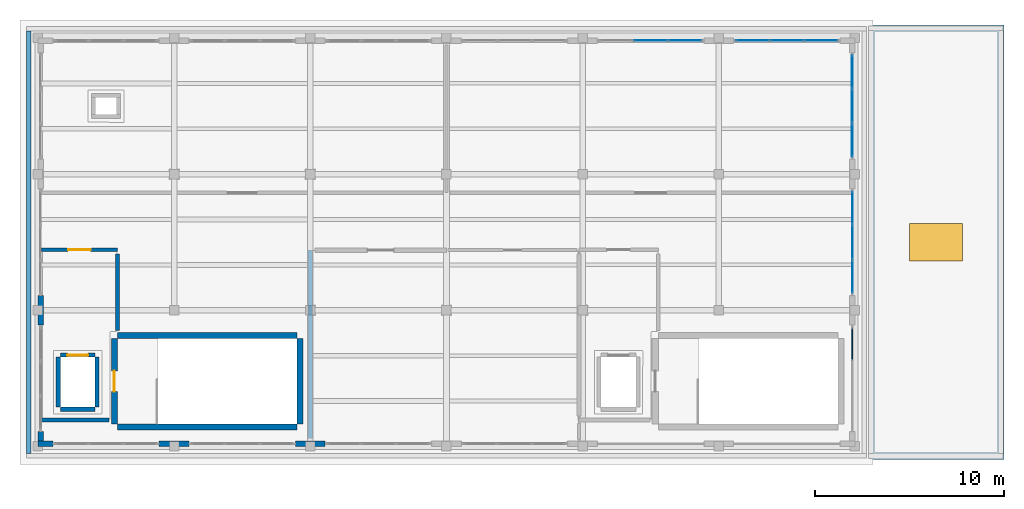
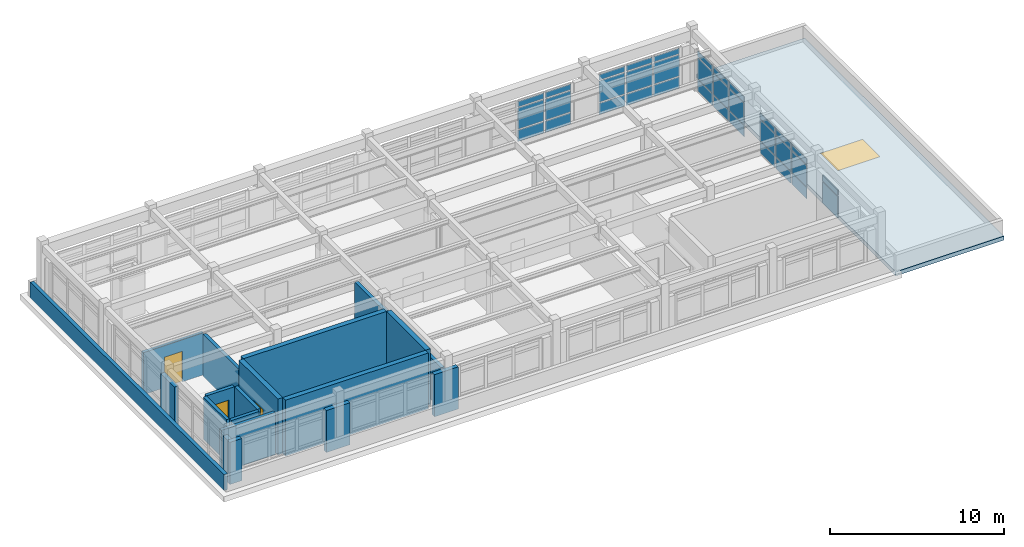
# One storey, part 10 of 12: 35 plates, 18 walls, 3 doors, 1 slab, 1 window, 4 openings, 5 elements without a shape of their own.
"""IFC4 building model written with IfcOpenShell, lengths in metres."""

import ifcopenshell
import ifcopenshell.guid

model = None  # the IFC model being written
_history = None  # IfcOwnerHistory: only IFC2X3 demands one
_inside = {}  # id of a spatial element -> (the spatial element, [elements in it])
_under = {}  # id of a project, library or spatial element -> (it, [spatial elements below it])
_declared = {}  # id of a project -> (the project, [libraries it declares])
_typed = {}  # id of a type object -> (the type object, [elements of that type])
_made_of = {}  # id of a material, layer set ... -> (it, [elements and type objects made of it])


def new_model(schema):
    """Start an empty IFC model of exactly this schema.

    Asked for "IFC4X3", IfcOpenShell would pick the latest addendum, in which some entities
    have other attributes; the version numbers below select the first issue.
    IFC2X3 requires an IfcOwnerHistory on every rooted entity: one is made here for all.
    """
    global model, _history
    if schema == "IFC4X3":
        model = ifcopenshell.file(schema_version=(4, 3, 0, 0))
    else:
        model = ifcopenshell.file(schema=schema)
    _inside.clear()
    _under.clear()
    _declared.clear()
    _typed.clear()
    _made_of.clear()
    _history = None
    if model.schema == "IFC2X3":
        org = make("IfcOrganization", Name="unknown")
        user = make(
            "IfcPersonAndOrganization",
            ThePerson=make("IfcPerson", FamilyName="unknown"),
            TheOrganization=org,
        )
        app = make(
            "IfcApplication",
            ApplicationDeveloper=org,
            Version="unknown",
            ApplicationFullName="unknown",
            ApplicationIdentifier="unknown",
        )
        _history = make(
            "IfcOwnerHistory",
            OwningUser=user,
            OwningApplication=app,
            ChangeAction="ADDED",
            CreationDate=0,
        )
    return model


def make(cls, **values):
    """One entity of the class cls with the attributes given. An attribute that is None is left unset."""
    return model.create_entity(
        cls, **{name: value for name, value in values.items() if value is not None}
    )


def rooted(cls, **values):
    """An entity with a GlobalId (a new one), such as an element, a storey or a relation."""
    return make(cls, GlobalId=ifcopenshell.guid.new(), OwnerHistory=_history, **values)


def si_unit(unit_type, name, prefix=None):
    """IfcSIUnit, for example si_unit("LENGTHUNIT", "METRE", prefix="MILLI")."""
    return make("IfcSIUnit", UnitType=unit_type, Prefix=prefix, Name=name)


def assignment(units):
    """IfcUnitAssignment: the units of a project."""
    return None if units is None else make("IfcUnitAssignment", Units=units)


def point(xyz):
    """IfcCartesianPoint."""
    return None if xyz is None else make("IfcCartesianPoint", Coordinates=xyz)


def direction(xyz):
    """IfcDirection."""
    return None if xyz is None else make("IfcDirection", DirectionRatios=xyz)


def frame(location, z_axis=None, x_axis=None):
    """IfcAxis2Placement3D, a coordinate frame: its origin and axes. An axis left out is left unset."""
    return make(
        "IfcAxis2Placement3D",
        Location=point(location),
        Axis=direction(z_axis),
        RefDirection=direction(x_axis),
    )


def frame_2d(location, x_axis=None):
    """IfcAxis2Placement2D, a coordinate frame in the plane: its origin and x axis."""
    return make(
        "IfcAxis2Placement2D", Location=point(location), RefDirection=direction(x_axis)
    )


def origin():
    """The frame at (0, 0, 0) with its axes left unset."""
    return frame((0.0, 0.0, 0.0))


def origin_2d():
    """The frame at (0, 0) in the plane with its x axis left unset."""
    return frame_2d((0.0, 0.0))


def place(relative_to, where):
    """IfcLocalPlacement: puts the frame where relative to a parent placement (None: the world)."""
    return make(
        "IfcLocalPlacement", PlacementRelTo=relative_to, RelativePlacement=where
    )


def context(
    kind, dimensions, precision=None, world=None, true_north=None, identifier=None
):
    """IfcGeometricRepresentationContext, for example the 3D "Model" context."""
    return make(
        "IfcGeometricRepresentationContext",
        ContextIdentifier=identifier,
        ContextType=kind,
        CoordinateSpaceDimension=dimensions,
        Precision=precision,
        WorldCoordinateSystem=world,
        TrueNorth=true_north,
    )


def subcontext(parent, identifier, kind, view, scale=None):
    """IfcGeometricRepresentationSubContext, for example "Body" below "Model"."""
    return make(
        "IfcGeometricRepresentationSubContext",
        ContextIdentifier=identifier,
        ContextType=kind,
        ParentContext=parent,
        TargetScale=scale,
        TargetView=view,
    )


def project(units=None, contexts=None):
    """IfcProject with its units and contexts."""
    return rooted(
        "IfcProject",
        Name="project",
        RepresentationContexts=contexts,
        UnitsInContext=assignment(units),
    )


def spatial(cls, under=None, at=None, **own):
    """A site, building, storey or space (cls), placed at a placement, below another one or the project."""
    s = rooted(cls, ObjectPlacement=at, **own)
    if under is not None:
        _under.setdefault(under.id(), (under, []))[1].append(s)
    return s


def polyline(points):
    """IfcPolyline through the points."""
    return make("IfcPolyline", Points=[point(p) for p in points])


def profile(cls, at=None, kind="AREA", **sizes):
    """A parametric profile (cls). Its sizes go by their IFC names, for example OverallWidth=200.0."""
    return make(cls, ProfileType=kind, Position=at, **sizes)


def rectangle(**sizes):
    """IfcRectangleProfileDef."""
    return profile("IfcRectangleProfileDef", **sizes)


def outline(outer, holes=None, kind="AREA"):
    """IfcArbitraryClosedProfileDef: a profile drawn as a closed curve; with holes, ...WithVoids."""
    if holes is None:
        return make("IfcArbitraryClosedProfileDef", ProfileType=kind, OuterCurve=outer)
    return make(
        "IfcArbitraryProfileDefWithVoids",
        ProfileType=kind,
        OuterCurve=outer,
        InnerCurves=holes,
    )


def extrude(swept, where, along, depth):
    """IfcExtrudedAreaSolid: the profile swept, set in the frame where, extruded along a direction by depth."""
    return make(
        "IfcExtrudedAreaSolid",
        SweptArea=swept,
        Position=where,
        ExtrudedDirection=direction(along),
        Depth=depth,
    )


def shape(context_of_items, identifier, shape_type, items):
    """IfcShapeRepresentation: the items that make up one representation, for example the "Body"."""
    return make(
        "IfcShapeRepresentation",
        ContextOfItems=context_of_items,
        RepresentationIdentifier=identifier,
        RepresentationType=shape_type,
        Items=items,
    )


def material(Name=None, Category=None):
    """IfcMaterial."""
    return make("IfcMaterial", Name=Name, Category=Category)


def layer(
    of_material, thickness, ventilated=None, Name=None, Category=None, Priority=None
):
    """IfcMaterialLayer: one layer of a wall or slab, of a material (None: an air gap)."""
    return make(
        "IfcMaterialLayer",
        Material=of_material,
        LayerThickness=thickness,
        IsVentilated=ventilated,
        Name=Name,
        Category=Category,
        Priority=Priority,
    )


def layer_set(layers, Name=None):
    """IfcMaterialLayerSet."""
    return make("IfcMaterialLayerSet", MaterialLayers=layers, LayerSetName=Name)


def made_of(thing, what):
    """Note that an element or type object is made of a material, layer set ...; save() writes the relation."""
    if what is not None:
        _made_of.setdefault(what.id(), (what, []))[1].append(thing)
    return thing


def type_object(cls, material=None, **own):
    """A type object (cls), such as IfcWallType, which elements share."""
    return made_of(rooted(cls, **own), material)


def element(
    cls,
    number,
    at=None,
    inside=None,
    cuts=None,
    type_object=None,
    material=None,
    context=None,
    identifier="Body",
    shape_type=None,
    held_by="IfcProductDefinitionShape",
    body=None,
    shapes=None,
    **own,
):
    """One element of the class cls, such as IfcWall. Its Tag is "e" and its number.

    at: its placement. inside: the storey or other place that contains it. cuts: it is an
    opening in that element (IfcRelVoidsElement). A single representation is given by context,
    identifier, shape_type and body (its items); several are given by shapes. held_by: the class
    of the entity that holds the representations. save() writes the other relations.
    """
    e = rooted(cls, Tag="e%d" % number, ObjectPlacement=at, **own)
    if body is not None:
        shapes = [shape(context, identifier, shape_type, body)]
    if shapes is not None:
        e.Representation = make(held_by, Representations=shapes)
    if inside is not None:
        _inside.setdefault(inside.id(), (inside, []))[1].append(e)
    if cuts is not None:
        rooted(
            "IfcRelVoidsElement", RelatingBuildingElement=cuts, RelatedOpeningElement=e
        )
    if type_object is not None:
        _typed.setdefault(type_object.id(), (type_object, []))[1].append(e)
    return made_of(e, material)


def fill(opening, filler):
    """IfcRelFillsElement: the door or window that sits in an opening."""
    return rooted(
        "IfcRelFillsElement",
        RelatingOpeningElement=opening,
        RelatedBuildingElement=filler,
    )


def aggregate(whole, parts):
    """IfcRelAggregates: a whole, such as a stair, and the parts it consists of."""
    return rooted("IfcRelAggregates", RelatingObject=whole, RelatedObjects=parts)


def save(model, path):
    """Write the relations noted so far, then the file.

    IfcRelAggregates (storeys below a building ...), IfcRelContainedInSpatialStructure (elements
    in a storey), IfcRelDefinesByType, IfcRelAssociatesMaterial and IfcRelDeclares: one each for
    every whole, place, type object, material and project.
    """
    for whole, parts in _under.values():
        aggregate(whole, parts)
    for where, things in _inside.values():
        rooted(
            "IfcRelContainedInSpatialStructure",
            RelatedElements=things,
            RelatingStructure=where,
        )
    for kind, things in _typed.values():
        rooted("IfcRelDefinesByType", RelatedObjects=things, RelatingType=kind)
    for what, things in _made_of.values():
        rooted("IfcRelAssociatesMaterial", RelatedObjects=things, RelatingMaterial=what)
    for by, libraries in _declared.values():
        rooted("IfcRelDeclares", RelatingContext=by, RelatedDefinitions=libraries)
    model.write(path)


model = new_model("IFC4")

# Units and contexts
model_context = context("Model", 3, precision=1e-05, world=origin(), true_north=direction((0.0, 1.0)))
body_context = subcontext(model_context, "Body", "Model", "MODEL_VIEW")
ifc_project = project(units=[si_unit("LENGTHUNIT", "METRE"), si_unit("AREAUNIT", "SQUARE_METRE"), si_unit("VOLUMEUNIT", "CUBIC_METRE"), si_unit("PLANEANGLEUNIT", "RADIAN"), si_unit("MASSUNIT", "GRAM", prefix="KILO")], contexts=[model_context])

# Site, building, storey
site_placement = place(None, origin())
site = spatial("IfcSite", under=ifc_project, at=site_placement, CompositionType="ELEMENT")
building_placement = place(site_placement, origin())
building = spatial("IfcBuilding", under=site, at=building_placement, Name="Solenvale Faculty of Natural Sciences", CompositionType="ELEMENT")
storey_placement = place(building_placement, frame((0.0, 0.0, 52.199951171875)))
storey = spatial("IfcBuildingStorey", under=building, at=storey_placement, Name="RF", CompositionType="ELEMENT", Elevation=52.199951171875)

# Curtain wall, plates
ifc_material_1 = material(Name="Anodised bronze aluminium", Category="aluminium")
ifc_layer_1 = layer(ifc_material_1, 0.179931640625)
ifc_layer_set_1 = layer_set([ifc_layer_1], Name="Anodised bronze aluminium")
curtain_wall_type = type_object("IfcCurtainWallType", Name="CW-TWR-MOD", PredefinedType="USERDEFINED", material=ifc_layer_set_1)
curtain_wall_1_placement = place(storey_placement, origin())
curtain_wall_1 = element("IfcCurtainWall", 1, at=curtain_wall_1_placement, inside=storey, type_object=curtain_wall_type, Name="RF Curtain Wall CW-RF-P1-E1-B2", ObjectType="UNITISED CURTAIN WALL", PredefinedType="USERDEFINED")
ifc_material_2 = material(Name="North-light skylight glass", Category="glass")
ifc_layer_2 = layer(ifc_material_2, 0.028076171875)
ifc_layer_set_2 = layer_set([ifc_layer_2], Name="North-light skylight glass")
plate_type_1 = type_object("IfcPlateType", Name="CWP-PNL-28", PredefinedType="CURTAIN_PANEL", material=ifc_layer_set_2)
plate_1_placement = place(storey_placement, frame((143.857421875, 102.58544921875, 0.074951171875), z_axis=(0.0, 0.0, 1.0), x_axis=(0.0, 1.0, 0.0)))
plate_1 = element("IfcPlate", 2, at=plate_1_placement, type_object=plate_type_1, Name="CW-04 panel 1.1", PredefinedType="CURTAIN_PANEL", context=body_context, shape_type="SweptSolid", body=[
    extrude(rectangle(XDim=1.720947265625, YDim=0.028076171875, at=origin_2d()), origin(), (0.0, 0.0, 1.0), 0.78759765625),
])
plate_2_placement = place(storey_placement, frame((143.857421875, 102.58544921875, 0.9375), z_axis=(0.0, 0.0, 1.0), x_axis=(0.0, 1.0, 0.0)))
plate_2 = element("IfcPlate", 3, at=plate_2_placement, type_object=plate_type_1, Name="CW-04 panel 1.2", PredefinedType="CURTAIN_PANEL", context=body_context, shape_type="SweptSolid", body=[
    extrude(rectangle(XDim=1.720947265625, YDim=0.028076171875, at=origin_2d()), origin(), (0.0, 0.0, 1.0), 1.485107421875),
])
plate_3_placement = place(storey_placement, frame((143.857421875, 102.58544921875, 2.49755859375), z_axis=(0.0, 0.0, 1.0), x_axis=(0.0, 1.0, 0.0)))
plate_3 = element("IfcPlate", 4, at=plate_3_placement, type_object=plate_type_1, Name="CW-04 panel 1.3", PredefinedType="CURTAIN_PANEL", context=body_context, shape_type="SweptSolid", body=[
    extrude(rectangle(XDim=1.720947265625, YDim=0.028076171875, at=origin_2d()), origin(), (0.0, 0.0, 1.0), 0.387451171875),
])
plate_4_placement = place(storey_placement, frame((143.857421875, 104.39990234375, 0.074951171875), z_axis=(0.0, 0.0, 1.0), x_axis=(0.0, 1.0, 0.0)))
plate_4 = element("IfcPlate", 5, at=plate_4_placement, type_object=plate_type_1, Name="CW-04 panel 2.1", PredefinedType="CURTAIN_PANEL", context=body_context, shape_type="SweptSolid", body=[
    extrude(rectangle(XDim=1.75830078125, YDim=0.028076171875, at=origin_2d()), origin(), (0.0, 0.0, 1.0), 0.78759765625),
])
plate_5_placement = place(storey_placement, frame((143.857421875, 104.39990234375, 0.9375), z_axis=(0.0, 0.0, 1.0), x_axis=(0.0, 1.0, 0.0)))
plate_5 = element("IfcPlate", 6, at=plate_5_placement, type_object=plate_type_1, Name="CW-04 panel 2.2", PredefinedType="CURTAIN_PANEL", context=body_context, shape_type="SweptSolid", body=[
    extrude(rectangle(XDim=1.75830078125, YDim=0.028076171875, at=origin_2d()), origin(), (0.0, 0.0, 1.0), 1.485107421875),
])
plate_6_placement = place(storey_placement, frame((143.857421875, 104.39990234375, 2.49755859375), z_axis=(0.0, 0.0, 1.0), x_axis=(0.0, 1.0, 0.0)))
plate_6 = element("IfcPlate", 7, at=plate_6_placement, type_object=plate_type_1, Name="CW-04 panel 2.3", PredefinedType="CURTAIN_PANEL", context=body_context, shape_type="SweptSolid", body=[
    extrude(rectangle(XDim=1.75830078125, YDim=0.028076171875, at=origin_2d()), origin(), (0.0, 0.0, 1.0), 0.387451171875),
])
plate_7_placement = place(storey_placement, frame((143.857421875, 106.214599609375, 0.074951171875), z_axis=(0.0, 0.0, 1.0), x_axis=(0.0, 1.0, 0.0)))
plate_7 = element("IfcPlate", 8, at=plate_7_placement, type_object=plate_type_1, Name="CW-04 panel 3.1", PredefinedType="CURTAIN_PANEL", context=body_context, shape_type="SweptSolid", body=[
    extrude(rectangle(XDim=1.720947265625, YDim=0.028076171875, at=origin_2d()), origin(), (0.0, 0.0, 1.0), 0.78759765625),
])
plate_8_placement = place(storey_placement, frame((143.857421875, 106.214599609375, 0.9375), z_axis=(0.0, 0.0, 1.0), x_axis=(0.0, 1.0, 0.0)))
plate_8 = element("IfcPlate", 9, at=plate_8_placement, type_object=plate_type_1, Name="CW-04 panel 3.2", PredefinedType="CURTAIN_PANEL", context=body_context, shape_type="SweptSolid", body=[
    extrude(rectangle(XDim=1.720947265625, YDim=0.028076171875, at=origin_2d()), origin(), (0.0, 0.0, 1.0), 1.485107421875),
])
plate_9_placement = place(storey_placement, frame((143.857421875, 106.214599609375, 2.49755859375), z_axis=(0.0, 0.0, 1.0), x_axis=(0.0, 1.0, 0.0)))
plate_9 = element("IfcPlate", 10, at=plate_9_placement, type_object=plate_type_1, Name="CW-04 panel 3.3", PredefinedType="CURTAIN_PANEL", context=body_context, shape_type="SweptSolid", body=[
    extrude(rectangle(XDim=1.720947265625, YDim=0.028076171875, at=origin_2d()), origin(), (0.0, 0.0, 1.0), 0.387451171875),
])
aggregate(curtain_wall_1, [plate_1, plate_2, plate_3, plate_4, plate_5, plate_6, plate_7, plate_8, plate_9])

curtain_wall_2_placement = place(storey_placement, origin())
curtain_wall_2 = element("IfcCurtainWall", 11, at=curtain_wall_2_placement, inside=storey, type_object=curtain_wall_type, Name="RF Curtain Wall CW-RF-P1-E2-B1", ObjectType="UNITISED CURTAIN WALL", PredefinedType="USERDEFINED")
plate_10_placement = place(storey_placement, frame((142.214599609375, 115.0576171875, 0.074951171875), z_axis=(0.0, 0.0, 1.0), x_axis=(-1.0, 0.0, 0.0)))
plate_10 = element("IfcPlate", 12, at=plate_10_placement, type_object=plate_type_1, Name="CW-04 panel 1.1", PredefinedType="CURTAIN_PANEL", context=body_context, shape_type="SweptSolid", body=[
    extrude(rectangle(XDim=1.720947265625, YDim=0.028076171875, at=origin_2d()), origin(), (0.0, 0.0, 1.0), 0.78759765625),
])
plate_11_placement = place(storey_placement, frame((142.214599609375, 115.0576171875, 0.9375), z_axis=(0.0, 0.0, 1.0), x_axis=(-1.0, 0.0, 0.0)))
plate_11 = element("IfcPlate", 13, at=plate_11_placement, type_object=plate_type_1, Name="CW-04 panel 1.2", PredefinedType="CURTAIN_PANEL", context=body_context, shape_type="SweptSolid", body=[
    extrude(rectangle(XDim=1.720947265625, YDim=0.028076171875, at=origin_2d()), origin(), (0.0, 0.0, 1.0), 1.485107421875),
])
plate_12_placement = place(storey_placement, frame((142.214599609375, 115.0576171875, 2.49755859375), z_axis=(0.0, 0.0, 1.0), x_axis=(-1.0, 0.0, 0.0)))
plate_12 = element("IfcPlate", 14, at=plate_12_placement, type_object=plate_type_1, Name="CW-04 panel 1.3", PredefinedType="CURTAIN_PANEL", context=body_context, shape_type="SweptSolid", body=[
    extrude(rectangle(XDim=1.720947265625, YDim=0.028076171875, at=origin_2d()), origin(), (0.0, 0.0, 1.0), 0.387451171875),
])
plate_13_placement = place(storey_placement, frame((140.39990234375, 115.0576171875, 0.074951171875), z_axis=(0.0, 0.0, 1.0), x_axis=(-1.0, 0.0, 0.0)))
plate_13 = element("IfcPlate", 15, at=plate_13_placement, type_object=plate_type_1, Name="CW-04 panel 2.1", PredefinedType="CURTAIN_PANEL", context=body_context, shape_type="SweptSolid", body=[
    extrude(rectangle(XDim=1.75830078125, YDim=0.028076171875, at=origin_2d()), origin(), (0.0, 0.0, 1.0), 0.78759765625),
])
plate_14_placement = place(storey_placement, frame((140.39990234375, 115.0576171875, 0.9375), z_axis=(0.0, 0.0, 1.0), x_axis=(-1.0, 0.0, 0.0)))
plate_14 = element("IfcPlate", 16, at=plate_14_placement, type_object=plate_type_1, Name="CW-04 panel 2.2", PredefinedType="CURTAIN_PANEL", context=body_context, shape_type="SweptSolid", body=[
    extrude(rectangle(XDim=1.75830078125, YDim=0.028076171875, at=origin_2d()), origin(), (0.0, 0.0, 1.0), 1.485107421875),
])
plate_15_placement = place(storey_placement, frame((140.39990234375, 115.0576171875, 2.49755859375), z_axis=(0.0, 0.0, 1.0), x_axis=(-1.0, 0.0, 0.0)))
plate_15 = element("IfcPlate", 17, at=plate_15_placement, type_object=plate_type_1, Name="CW-04 panel 2.3", PredefinedType="CURTAIN_PANEL", context=body_context, shape_type="SweptSolid", body=[
    extrude(rectangle(XDim=1.75830078125, YDim=0.028076171875, at=origin_2d()), origin(), (0.0, 0.0, 1.0), 0.387451171875),
])
plate_16_placement = place(storey_placement, frame((138.58544921875, 115.0576171875, 0.074951171875), z_axis=(0.0, 0.0, 1.0), x_axis=(-1.0, 0.0, 0.0)))
plate_16 = element("IfcPlate", 18, at=plate_16_placement, type_object=plate_type_1, Name="CW-04 panel 3.1", PredefinedType="CURTAIN_PANEL", context=body_context, shape_type="SweptSolid", body=[
    extrude(rectangle(XDim=1.720947265625, YDim=0.028076171875, at=origin_2d()), origin(), (0.0, 0.0, 1.0), 0.78759765625),
])
plate_17_placement = place(storey_placement, frame((138.58544921875, 115.0576171875, 0.9375), z_axis=(0.0, 0.0, 1.0), x_axis=(-1.0, 0.0, 0.0)))
plate_17 = element("IfcPlate", 19, at=plate_17_placement, type_object=plate_type_1, Name="CW-04 panel 3.2", PredefinedType="CURTAIN_PANEL", context=body_context, shape_type="SweptSolid", body=[
    extrude(rectangle(XDim=1.720947265625, YDim=0.028076171875, at=origin_2d()), origin(), (0.0, 0.0, 1.0), 1.485107421875),
])
plate_18_placement = place(storey_placement, frame((138.58544921875, 115.0576171875, 2.49755859375), z_axis=(0.0, 0.0, 1.0), x_axis=(-1.0, 0.0, 0.0)))
plate_18 = element("IfcPlate", 20, at=plate_18_placement, type_object=plate_type_1, Name="CW-04 panel 3.3", PredefinedType="CURTAIN_PANEL", context=body_context, shape_type="SweptSolid", body=[
    extrude(rectangle(XDim=1.720947265625, YDim=0.028076171875, at=origin_2d()), origin(), (0.0, 0.0, 1.0), 0.387451171875),
])
aggregate(curtain_wall_2, [plate_10, plate_11, plate_12, plate_13, plate_14, plate_15, plate_16, plate_17, plate_18])

curtain_wall_3_placement = place(storey_placement, origin())
curtain_wall_3 = element("IfcCurtainWall", 21, at=curtain_wall_3_placement, inside=storey, type_object=curtain_wall_type, Name="RF Curtain Wall CW-RF-P1-E1-B3", ObjectType="UNITISED CURTAIN WALL", PredefinedType="USERDEFINED")
ifc_material_3 = material(Name="Triple low-E insulated glass", Category="glass")
ifc_layer_3 = layer(ifc_material_3, 0.031982421875)
ifc_layer_set_3 = layer_set([ifc_layer_3], Name="Triple low-E insulated glass")
plate_type_2 = type_object("IfcPlateType", Name="CWP-PNL-32", PredefinedType="CURTAIN_PANEL", material=ifc_layer_set_3)
plate_19_placement = place(storey_placement, frame((143.857421875, 109.785400390625, 0.074951171875), z_axis=(0.0, 0.0, 1.0), x_axis=(0.0, 1.0, 0.0)))
plate_19 = element("IfcPlate", 22, at=plate_19_placement, type_object=plate_type_2, Name="CW-04 panel 1.1", PredefinedType="CURTAIN_PANEL", context=body_context, shape_type="SweptSolid", body=[
    extrude(rectangle(XDim=1.720947265625, YDim=0.031982421875, at=origin_2d()), origin(), (0.0, 0.0, 1.0), 0.78759765625),
])
plate_20_placement = place(storey_placement, frame((143.857421875, 109.785400390625, 0.9375), z_axis=(0.0, 0.0, 1.0), x_axis=(0.0, 1.0, 0.0)))
plate_20 = element("IfcPlate", 23, at=plate_20_placement, type_object=plate_type_2, Name="CW-04 panel 1.2", PredefinedType="CURTAIN_PANEL", context=body_context, shape_type="SweptSolid", body=[
    extrude(rectangle(XDim=1.720947265625, YDim=0.031982421875, at=origin_2d()), origin(), (0.0, 0.0, 1.0), 1.485107421875),
])
plate_21_placement = place(storey_placement, frame((143.857421875, 109.785400390625, 2.49755859375), z_axis=(0.0, 0.0, 1.0), x_axis=(0.0, 1.0, 0.0)))
plate_21 = element("IfcPlate", 24, at=plate_21_placement, type_object=plate_type_2, Name="CW-04 panel 1.3", PredefinedType="CURTAIN_PANEL", context=body_context, shape_type="SweptSolid", body=[
    extrude(rectangle(XDim=1.720947265625, YDim=0.031982421875, at=origin_2d()), origin(), (0.0, 0.0, 1.0), 0.387451171875),
])
plate_22_placement = place(storey_placement, frame((143.857421875, 111.60009765625, 0.074951171875), z_axis=(0.0, 0.0, 1.0), x_axis=(0.0, 1.0, 0.0)))
plate_22 = element("IfcPlate", 25, at=plate_22_placement, type_object=plate_type_2, Name="CW-04 panel 2.1", PredefinedType="CURTAIN_PANEL", context=body_context, shape_type="SweptSolid", body=[
    extrude(rectangle(XDim=1.75830078125, YDim=0.031982421875, at=origin_2d()), origin(), (0.0, 0.0, 1.0), 0.78759765625),
])
plate_23_placement = place(storey_placement, frame((143.857421875, 111.60009765625, 0.9375), z_axis=(0.0, 0.0, 1.0), x_axis=(0.0, 1.0, 0.0)))
plate_23 = element("IfcPlate", 26, at=plate_23_placement, type_object=plate_type_2, Name="CW-04 panel 2.2", PredefinedType="CURTAIN_PANEL", context=body_context, shape_type="SweptSolid", body=[
    extrude(rectangle(XDim=1.75830078125, YDim=0.031982421875, at=origin_2d()), origin(), (0.0, 0.0, 1.0), 1.485107421875),
])
plate_24_placement = place(storey_placement, frame((143.857421875, 111.60009765625, 2.49755859375), z_axis=(0.0, 0.0, 1.0), x_axis=(0.0, 1.0, 0.0)))
plate_24 = element("IfcPlate", 27, at=plate_24_placement, type_object=plate_type_2, Name="CW-04 panel 2.3", PredefinedType="CURTAIN_PANEL", context=body_context, shape_type="SweptSolid", body=[
    extrude(rectangle(XDim=1.75830078125, YDim=0.031982421875, at=origin_2d()), origin(), (0.0, 0.0, 1.0), 0.387451171875),
])
plate_25_placement = place(storey_placement, frame((143.857421875, 113.41455078125, 0.074951171875), z_axis=(0.0, 0.0, 1.0), x_axis=(0.0, 1.0, 0.0)))
plate_25 = element("IfcPlate", 28, at=plate_25_placement, type_object=plate_type_2, Name="CW-04 panel 3.1", PredefinedType="CURTAIN_PANEL", context=body_context, shape_type="SweptSolid", body=[
    extrude(rectangle(XDim=1.720947265625, YDim=0.031982421875, at=origin_2d()), origin(), (0.0, 0.0, 1.0), 0.78759765625),
])
plate_26_placement = place(storey_placement, frame((143.857421875, 113.41455078125, 0.9375), z_axis=(0.0, 0.0, 1.0), x_axis=(0.0, 1.0, 0.0)))
plate_26 = element("IfcPlate", 29, at=plate_26_placement, type_object=plate_type_2, Name="CW-04 panel 3.2", PredefinedType="CURTAIN_PANEL", context=body_context, shape_type="SweptSolid", body=[
    extrude(rectangle(XDim=1.720947265625, YDim=0.031982421875, at=origin_2d()), origin(), (0.0, 0.0, 1.0), 1.485107421875),
])
plate_27_placement = place(storey_placement, frame((143.857421875, 113.41455078125, 2.49755859375), z_axis=(0.0, 0.0, 1.0), x_axis=(0.0, 1.0, 0.0)))
plate_27 = element("IfcPlate", 30, at=plate_27_placement, type_object=plate_type_2, Name="CW-04 panel 3.3", PredefinedType="CURTAIN_PANEL", context=body_context, shape_type="SweptSolid", body=[
    extrude(rectangle(XDim=1.720947265625, YDim=0.031982421875, at=origin_2d()), origin(), (0.0, 0.0, 1.0), 0.387451171875),
])
aggregate(curtain_wall_3, [plate_19, plate_20, plate_21, plate_22, plate_23, plate_24, plate_25, plate_26, plate_27])

curtain_wall_4_placement = place(storey_placement, origin())
curtain_wall_4 = element("IfcCurtainWall", 31, at=curtain_wall_4_placement, inside=storey, type_object=curtain_wall_type, Name="RF Curtain Wall CW-RF-P1-E2-B2", ObjectType="UNITISED CURTAIN WALL", PredefinedType="USERDEFINED")
plate_28_placement = place(storey_placement, frame((135.0146484375, 115.0576171875, 0.074951171875), z_axis=(0.0, 0.0, 1.0), x_axis=(-1.0, 0.0, 0.0)))
plate_28 = element("IfcPlate", 32, at=plate_28_placement, type_object=plate_type_2, Name="CW-04 panel 1.1", PredefinedType="CURTAIN_PANEL", context=body_context, shape_type="SweptSolid", body=[
    extrude(rectangle(XDim=1.720947265625, YDim=0.031982421875, at=origin_2d()), origin(), (0.0, 0.0, 1.0), 0.78759765625),
])
plate_29_placement = place(storey_placement, frame((135.0146484375, 115.0576171875, 0.9375), z_axis=(0.0, 0.0, 1.0), x_axis=(-1.0, 0.0, 0.0)))
plate_29 = element("IfcPlate", 33, at=plate_29_placement, type_object=plate_type_2, Name="CW-04 panel 1.2", PredefinedType="CURTAIN_PANEL", context=body_context, shape_type="SweptSolid", body=[
    extrude(rectangle(XDim=1.720947265625, YDim=0.031982421875, at=origin_2d()), origin(), (0.0, 0.0, 1.0), 1.485107421875),
])
plate_30_placement = place(storey_placement, frame((135.0146484375, 115.0576171875, 2.49755859375), z_axis=(0.0, 0.0, 1.0), x_axis=(-1.0, 0.0, 0.0)))
plate_30 = element("IfcPlate", 34, at=plate_30_placement, type_object=plate_type_2, Name="CW-04 panel 1.3", PredefinedType="CURTAIN_PANEL", context=body_context, shape_type="SweptSolid", body=[
    extrude(rectangle(XDim=1.720947265625, YDim=0.031982421875, at=origin_2d()), origin(), (0.0, 0.0, 1.0), 0.387451171875),
])
plate_31_placement = place(storey_placement, frame((133.199951171875, 115.0576171875, 0.074951171875), z_axis=(0.0, 0.0, 1.0), x_axis=(-1.0, 0.0, 0.0)))
plate_31 = element("IfcPlate", 35, at=plate_31_placement, type_object=plate_type_2, Name="CW-04 panel 2.1", PredefinedType="CURTAIN_PANEL", context=body_context, shape_type="SweptSolid", body=[
    extrude(rectangle(XDim=1.75830078125, YDim=0.031982421875, at=origin_2d()), origin(), (0.0, 0.0, 1.0), 0.78759765625),
])
plate_32_placement = place(storey_placement, frame((133.199951171875, 115.0576171875, 0.9375), z_axis=(0.0, 0.0, 1.0), x_axis=(-1.0, 0.0, 0.0)))
plate_32 = element("IfcPlate", 36, at=plate_32_placement, type_object=plate_type_2, Name="CW-04 panel 2.2", PredefinedType="CURTAIN_PANEL", context=body_context, shape_type="SweptSolid", body=[
    extrude(rectangle(XDim=1.75830078125, YDim=0.031982421875, at=origin_2d()), origin(), (0.0, 0.0, 1.0), 1.485107421875),
])
plate_33_placement = place(storey_placement, frame((133.199951171875, 115.0576171875, 2.49755859375), z_axis=(0.0, 0.0, 1.0), x_axis=(-1.0, 0.0, 0.0)))
plate_33 = element("IfcPlate", 37, at=plate_33_placement, type_object=plate_type_2, Name="CW-04 panel 2.3", PredefinedType="CURTAIN_PANEL", context=body_context, shape_type="SweptSolid", body=[
    extrude(rectangle(XDim=1.75830078125, YDim=0.031982421875, at=origin_2d()), origin(), (0.0, 0.0, 1.0), 0.387451171875),
])
aggregate(curtain_wall_4, [plate_28, plate_29, plate_30, plate_31, plate_32, plate_33])

curtain_wall_5_placement = place(storey_placement, origin())
curtain_wall_5 = element("IfcCurtainWall", 38, at=curtain_wall_5_placement, inside=storey, type_object=curtain_wall_type, Name="RF Curtain Wall CW-RF-P1-E1-B1", ObjectType="UNITISED CURTAIN WALL", PredefinedType="USERDEFINED")
ifc_layer_4 = layer(ifc_material_1, 0.06005859375)
ifc_layer_set_4 = layer_set([ifc_layer_4], Name="Anodised bronze aluminium")
plate_type_3 = type_object("IfcPlateType", Name="CWP-PNL-60", PredefinedType="CURTAIN_PANEL", material=ifc_layer_set_4)
plate_34_placement = place(storey_placement, frame((143.857421875, 99.0146484375, 0.9375), z_axis=(0.0, 0.0, 1.0), x_axis=(0.0, 1.0, 0.0)))
plate_34 = element("IfcPlate", 39, at=plate_34_placement, type_object=plate_type_3, Name="CW-04 panel 3.2", PredefinedType="CURTAIN_PANEL", context=body_context, shape_type="SweptSolid", body=[
    extrude(rectangle(XDim=1.720947265625, YDim=0.06005859375, at=origin_2d()), origin(), (0.0, 0.0, 1.0), 1.485107421875),
])
plate_35_placement = place(storey_placement, frame((143.857421875, 99.0146484375, 2.49755859375), z_axis=(0.0, 0.0, 1.0), x_axis=(0.0, 1.0, 0.0)))
plate_35 = element("IfcPlate", 40, at=plate_35_placement, type_object=plate_type_3, Name="CW-04 panel 3.3", PredefinedType="CURTAIN_PANEL", context=body_context, shape_type="SweptSolid", body=[
    extrude(rectangle(XDim=1.720947265625, YDim=0.06005859375, at=origin_2d()), origin(), (0.0, 0.0, 1.0), 0.387451171875),
])
aggregate(curtain_wall_5, [plate_34, plate_35])

# Slab, opening, window
ifc_material_4 = material(Name="Concrete 40 MPa", Category="concrete")
ifc_layer_5 = layer(ifc_material_4, 0.280029296875)
ifc_layer_set_5 = layer_set([ifc_layer_5], Name="Concrete 40 MPa")
slab_type = type_object("IfcSlabType", Name="SL-ROOF-280", PredefinedType="ROOF", material=ifc_layer_set_5)
slab_placement = place(storey_placement, frame((0.0, 0.0, -0.280029296875)))
slab = element("IfcSlab", 41, at=slab_placement, inside=storey, type_object=slab_type, Name="RF Flat Roof Deck 1", PredefinedType="ROOF", context=body_context, shape_type="SweptSolid", body=[
    extrude(outline(polyline([(151.8798828125, 92.919921875), (144.679931640625, 92.919921875), (144.679931640625, 115.8798828125), (151.8798828125, 115.8798828125), (151.8798828125, 92.919921875)])), origin(), (0.0, 0.0, 1.0), 0.280029296875),
])
opening_1_placement = place(slab_placement, frame((148.280029296875, 104.39990234375, -0.010009765625)))
opening_1 = element("IfcOpeningElement", 42, at=opening_1_placement, cuts=slab, Name="Opening SK-06", PredefinedType="OPENING", context=body_context, shape_type="SweptSolid", body=[
    extrude(rectangle(XDim=2.800048828125, YDim=2.0, at=origin_2d()), origin(), (0.0, 0.0, 1.0), 0.300048828125),
])
window_type = type_object("IfcWindowType", Name="SK-HT-2800x2000", PartitioningType="SINGLE_PANEL", PredefinedType="SKYLIGHT", material=ifc_material_2)
window_placement = place(slab_placement, frame((148.280029296875, 104.39990234375, 0.22998046875)))
window = element("IfcWindow", 43, at=window_placement, inside=storey, type_object=window_type, Name="RF Roof Skylight Hatch 6", OverallHeight=2.0, OverallWidth=2.800048828125, PartitioningType="SINGLE_PANEL", PredefinedType="SKYLIGHT", context=body_context, shape_type="SweptSolid", body=[
    extrude(rectangle(XDim=2.800048828125, YDim=2.0, at=origin_2d()), origin(), (0.0, 0.0, 1.0), 0.050048828125),
])
fill(opening_1, window)

# Walls
ifc_material_5 = material(Name="Precast concrete 40 MPa", Category="concrete")
ifc_layer_6 = layer(ifc_material_5, 0.284912109375)
ifc_layer_set_6 = layer_set([ifc_layer_6], Name="Precast concrete 40 MPa")
wall_type_1 = type_object("IfcWallType", Name="WL-EXT-PRC-285", PredefinedType="STANDARD", material=ifc_layer_set_6)
wall_1_placement = place(storey_placement, frame((100.9423828125, 101.587890625, 0.0), z_axis=(0.0, 0.0, 1.0), x_axis=(0.0, -1.0, 0.0)))
element("IfcWall", 44, at=wall_1_placement, inside=storey, type_object=wall_type_1, Name="RF Facade Closure Pier 3.B2-R", PredefinedType="STANDARD", context=body_context, shape_type="SweptSolid", body=[
    extrude(rectangle(XDim=1.575927734375, YDim=0.284912109375, at=frame_2d((0.7880859375, 0.0))), origin(), (0.0, 0.0, 1.0), 2.9599609375),
])
wall_2_placement = place(storey_placement, frame((100.9423828125, 94.387939453125, 0.0), z_axis=(0.0, 0.0, 1.0), x_axis=(0.0, -1.0, 0.0)))
element("IfcWall", 45, at=wall_2_placement, inside=storey, type_object=wall_type_1, Name="RF Facade Closure Pier 3.B3-R", PredefinedType="STANDARD", context=body_context, shape_type="SweptSolid", body=[
    extrude(rectangle(XDim=0.5029296875, YDim=0.284912109375, at=frame_2d((0.25146484375, 0.0))), origin(), (0.0, 0.0, 1.0), 2.9599609375),
])
wall_3_placement = place(storey_placement, frame((100.800048828125, 93.742431640625, 0.0), z_axis=(0.0, 0.0, 1.0), x_axis=(1.0, 0.0, 0.0)))
element("IfcWall", 46, at=wall_3_placement, inside=storey, type_object=wall_type_1, Name="RF Facade Closure Pier 4.B1-L", PredefinedType="STANDARD", context=body_context, shape_type="SweptSolid", body=[
    extrude(rectangle(XDim=0.787841796875, YDim=0.284912109375, at=frame_2d((0.39404296875, 0.0))), origin(), (0.0, 0.0, 1.0), 2.9599609375),
])
wall_4_placement = place(storey_placement, frame((107.2119140625, 93.742431640625, 0.0), z_axis=(0.0, 0.0, 1.0), x_axis=(1.0, 0.0, 0.0)))
element("IfcWall", 47, at=wall_4_placement, inside=storey, type_object=wall_type_1, Name="RF Facade Closure Pier 4.B1-R", PredefinedType="STANDARD", context=body_context, shape_type="SweptSolid", body=[
    extrude(rectangle(XDim=1.576171875, YDim=0.284912109375, at=frame_2d((0.7880859375, 0.0))), origin(), (0.0, 0.0, 1.0), 2.9599609375),
])
wall_5_placement = place(storey_placement, frame((114.412109375, 93.742431640625, 0.0), z_axis=(0.0, 0.0, 1.0), x_axis=(1.0, 0.0, 0.0)))
element("IfcWall", 48, at=wall_5_placement, inside=storey, type_object=wall_type_1, Name="RF Facade Closure Pier 4.B2-R", PredefinedType="STANDARD", context=body_context, shape_type="SweptSolid", body=[
    extrude(rectangle(XDim=1.575927734375, YDim=0.284912109375, at=frame_2d((0.7880859375, 0.0))), origin(), (0.0, 0.0, 1.0), 2.9599609375),
])
ifc_material_6 = material(Name="Gypsum fire-rated shaftwall")
ifc_layer_7 = layer(ifc_material_6, 0.205078125)
ifc_layer_set_7 = layer_set([ifc_layer_7], Name="Gypsum fire-rated shaftwall")
wall_type_2 = type_object("IfcWallType", Name="WL-FFL-205", PredefinedType="PARTITIONING", material=ifc_layer_set_7)
wall_6_placement = place(storey_placement, frame((104.56591796875, 95.0, 0.0), z_axis=(0.0, 0.0, 1.0), x_axis=(-1.0, 0.0, 0.0)))
element("IfcWall", 49, at=wall_6_placement, inside=storey, type_object=wall_type_2, Name="RF Firefighting Lobby C4 Partition 18", PredefinedType="PARTITIONING", context=body_context, shape_type="SweptSolid", body=[
    extrude(rectangle(XDim=3.5830078125, YDim=0.205078125, at=frame_2d((1.79150390625, 0.0))), origin(), (0.0, 0.0, 1.0), 2.9599609375),
])

# Wall, opening, door
wall_7_placement = place(storey_placement, frame((100.98291015625, 104.0, 0.0), z_axis=(0.0, 0.0, 1.0), x_axis=(1.0, 0.0, 0.0)))
wall_7 = element("IfcWall", 50, at=wall_7_placement, inside=storey, type_object=wall_type_2, Name="RF Firefighting Lobby C4 Partition 20", PredefinedType="PARTITIONING", context=body_context, shape_type="SweptSolid", body=[
    extrude(rectangle(XDim=4.01708984375, YDim=0.205078125, at=frame_2d((2.008544921875, 0.0))), origin(), (0.0, 0.0, 1.0), 2.9599609375),
])
opening_2_placement = place(wall_7_placement, frame((1.407958984375, 0.0, 0.0)))
opening_2 = element("IfcOpeningElement", 51, at=opening_2_placement, cuts=wall_7, Name="Opening D-RF-01", PredefinedType="OPENING", context=body_context, shape_type="SweptSolid", body=[
    extrude(rectangle(XDim=1.199951171875, YDim=2.14990234375, at=frame_2d((0.60009765625, 1.074951171875))), frame((0.0, 0.112548828125, 0.0), z_axis=(0.0, -1.0, 0.0), x_axis=(1.0, 0.0, 0.0)), (0.0, 0.0, 1.0), 0.22509765625),
])
ifc_material_7 = material(Name="Galvanised steel S355", Category="steel")
door_type_1 = type_object("IfcDoorType", Name="DR-FFL-1200x2150", OperationType="NOTDEFINED", PredefinedType="DOOR", material=ifc_material_7)
door_1_placement = place(opening_2_placement, origin())
door_1 = element("IfcDoor", 52, at=door_1_placement, inside=storey, type_object=door_type_1, Name="RF Firefighting Lobby C4 Door", OperationType="SINGLE_SWING_RIGHT", OverallHeight=2.14990234375, OverallWidth=1.199951171875, PredefinedType="DOOR", context=body_context, shape_type="SweptSolid", body=[
    extrude(rectangle(XDim=1.199951171875, YDim=2.14990234375, at=frame_2d((0.60009765625, 1.074951171875))), frame((0.0, 0.02490234375, 0.0), z_axis=(0.0, -1.0, 0.0), x_axis=(1.0, 0.0, 0.0)), (0.0, 0.0, 1.0), 0.050048828125),
])
fill(opening_2, door_1)

# Walls
wall_8_placement = place(storey_placement, frame((105.0, 103.782958984375, 0.0), z_axis=(0.0, 0.0, 1.0), x_axis=(0.0, -1.0, 0.0)))
element("IfcWall", 53, at=wall_8_placement, inside=storey, type_object=wall_type_2, Name="RF Firefighting Lobby C4 Partition 21", PredefinedType="PARTITIONING", context=body_context, shape_type="SweptSolid", body=[
    extrude(rectangle(XDim=4.049072265625, YDim=0.205078125, at=frame_2d((2.0244140625, 0.0))), origin(), (0.0, 0.0, 1.0), 2.9599609375),
])
ifc_material_8 = material(Name="Gypsum fire-rated laboratory partition")
ifc_layer_8 = layer(ifc_material_8, 0.22802734375)
ifc_layer_set_8 = layer_set([ifc_layer_8], Name="Gypsum fire-rated laboratory partition")
wall_type_3 = type_object("IfcWallType", Name="WL-LAB-228", PredefinedType="PARTITIONING", material=ifc_layer_set_8)
wall_9_placement = place(storey_placement, frame((115.199951171875, 94.010986328125, 0.0), z_axis=(0.0, 0.0, 1.0), x_axis=(0.0, 1.0, 0.0)))
element("IfcWall", 54, at=wall_9_placement, inside=storey, type_object=wall_type_3, Name="RF Laboratory Exhaust Scrubbing Store Partition 1", PredefinedType="PARTITIONING", context=body_context, shape_type="SweptSolid", body=[
    extrude(rectangle(XDim=9.968994140625, YDim=0.22802734375, at=frame_2d((4.984375, 0.0))), origin(), (0.0, 0.0, 1.0), 2.9599609375),
])
ifc_material_9 = material(Name="Architectural bronze concrete 40 MPa", Category="concrete")
ifc_layer_9 = layer(ifc_material_9, 0.239990234375)
ifc_layer_set_9 = layer_set([ifc_layer_9], Name="Architectural bronze concrete 40 MPa")
wall_type_4 = type_object("IfcWallType", Name="WL-PAR-BRZ-240", PredefinedType="PARAPET", material=ifc_layer_set_9)
wall_10_placement = place(storey_placement, frame((100.320068359375, 93.239990234375, 0.0), z_axis=(0.0, 0.0, 1.0), x_axis=(0.0, 1.0, 0.0)))
element("IfcWall", 55, at=wall_10_placement, inside=storey, type_object=wall_type_4, Name="RF Tower Horizontal Concrete Band 1", PredefinedType="PARAPET", context=body_context, shape_type="SweptSolid", body=[
    extrude(rectangle(XDim=22.320068359375, YDim=0.239990234375, at=frame_2d((11.16015625, 0.0))), origin(), (0.0, 0.0, 1.0), 1.1201171875),
])
ifc_layer_10 = layer(ifc_material_4, 0.219970703125)
ifc_layer_set_10 = layer_set([ifc_layer_10], Name="Concrete 40 MPa")
wall_type_5 = type_object("IfcWallType", Name="WL-SHF-220", PredefinedType="STANDARD", material=ifc_layer_set_10)
wall_11_placement = place(storey_placement, frame((101.97998046875, 95.570068359375, 0.0), z_axis=(0.0, 0.0, 1.0), x_axis=(1.0, 0.0, 0.0)))
element("IfcWall", 56, at=wall_11_placement, inside=storey, type_object=wall_type_5, Name="Elevator LF-01 RF Shaft Wall S", PredefinedType="STANDARD", context=body_context, shape_type="SweptSolid", body=[
    extrude(rectangle(XDim=1.840087890625, YDim=0.219970703125, at=frame_2d((0.919921875, 0.0))), origin(), (0.0, 0.0, 1.0), 2.9599609375),
])

# Wall, opening, door
wall_12_placement = place(storey_placement, frame((101.97998046875, 98.429931640625, 0.0), z_axis=(0.0, 0.0, 1.0), x_axis=(1.0, 0.0, 0.0)))
wall_12 = element("IfcWall", 57, at=wall_12_placement, inside=storey, type_object=wall_type_5, Name="Elevator LF-01 RF Shaft Wall N", PredefinedType="STANDARD", context=body_context, shape_type="SweptSolid", body=[
    extrude(rectangle(XDim=1.840087890625, YDim=0.219970703125, at=frame_2d((0.919921875, 0.0))), origin(), (0.0, 0.0, 1.0), 2.9599609375),
])
opening_3_placement = place(wall_12_placement, frame((0.3701171875, 0.0, 0.0)))
opening_3 = element("IfcOpeningElement", 58, at=opening_3_placement, cuts=wall_12, Name="Opening LD-LF-01-RF", PredefinedType="OPENING", context=body_context, shape_type="SweptSolid", body=[
    extrude(rectangle(XDim=1.10009765625, YDim=2.14990234375, at=frame_2d((0.550048828125, 1.074951171875))), frame((0.0, 0.119873046875, 0.0), z_axis=(0.0, -1.0, 0.0), x_axis=(1.0, 0.0, 0.0)), (0.0, 0.0, 1.0), 0.239990234375),
])
ifc_material_10 = material(Name="Stainless steel Grade 304", Category="steel")
door_type_2 = type_object("IfcDoorType", Name="DR-LIFT-1100x2150", OperationType="NOTDEFINED", PredefinedType="DOOR", material=ifc_material_10)
door_2_placement = place(opening_3_placement, origin())
door_2 = element("IfcDoor", 59, at=door_2_placement, inside=storey, type_object=door_type_2, Name="Elevator LF-01 RF Sliding Landing Door", OperationType="SLIDING_TO_LEFT", OverallHeight=2.14990234375, OverallWidth=1.10009765625, PredefinedType="DOOR", context=body_context, shape_type="SweptSolid", body=[
    extrude(rectangle(XDim=1.10009765625, YDim=2.14990234375, at=frame_2d((0.550048828125, 1.074951171875))), frame((0.0, 0.02490234375, 0.0), z_axis=(0.0, -1.0, 0.0), x_axis=(1.0, 0.0, 0.0)), (0.0, 0.0, 1.0), 0.050048828125),
])
fill(opening_3, door_2)

# Walls
for number, where, z_axis, x_axis, name in (
    (60, (101.8701171875, 95.679931640625, 0.0), (0.0, 0.0, 1.0), (0.0, 1.0, 0.0), "Elevator LF-01 RF Shaft Wall W"),
    (61, (103.929931640625, 95.679931640625, 0.0), (0.0, 0.0, 1.0), (0.0, 1.0, 0.0), "Elevator LF-01 RF Shaft Wall E"),
):
    element("IfcWall", number, at=place(storey_placement, frame(where, z_axis=z_axis, x_axis=x_axis)), inside=storey, type_object=wall_type_5, Name=name, PredefinedType="STANDARD", context=body_context, shape_type="SweptSolid", body=[
        extrude(rectangle(XDim=2.64013671875, YDim=0.219970703125, at=frame_2d((1.320068359375, 0.0))), origin(), (0.0, 0.0, 1.0), 2.9599609375),
    ])
ifc_layer_11 = layer(ifc_material_4, 0.320068359375)
ifc_layer_set_11 = layer_set([ifc_layer_11], Name="Concrete 40 MPa")
wall_type_6 = type_object("IfcWallType", Name="WL-SHR-320", PredefinedType="SHEAR", material=ifc_layer_set_11)
for number, where, z_axis, x_axis, name in (
    (62, (105.0, 94.639892578125, 0.0), (0.0, 0.0, 1.0), (1.0, 0.0, 0.0), "Core C4 RF Shear Wall S"),
    (63, (105.0, 99.4599609375, 0.0), (0.0, 0.0, 1.0), (1.0, 0.0, 0.0), "Core C4 RF Shear Wall N"),
):
    element("IfcWall", number, at=place(storey_placement, frame(where, z_axis=z_axis, x_axis=x_axis)), inside=storey, type_object=wall_type_6, Name=name, PredefinedType="SHEAR", context=body_context, shape_type="SweptSolid", body=[
        extrude(rectangle(XDim=9.5, YDim=0.320068359375, at=frame_2d((4.75, 0.0))), origin(), (0.0, 0.0, 1.0), 3.920166015625),
    ])

# Wall, opening, door
wall_13_placement = place(storey_placement, frame((104.840087890625, 94.800048828125, 0.0), z_axis=(0.0, 0.0, 1.0), x_axis=(0.0, 1.0, 0.0)))
wall_13 = element("IfcWall", 64, at=wall_13_placement, inside=storey, type_object=wall_type_6, Name="Core C4 RF Shear Wall W", PredefinedType="SHEAR", context=body_context, shape_type="SweptSolid", body=[
    extrude(rectangle(XDim=4.5, YDim=0.320068359375, at=frame_2d((2.25, 0.0))), origin(), (0.0, 0.0, 1.0), 3.920166015625),
])
opening_4_placement = place(wall_13_placement, frame((1.699951171875, 0.0, 0.0)))
opening_4 = element("IfcOpeningElement", 65, at=opening_4_placement, cuts=wall_13, Name="Opening DS-C4-RF", PredefinedType="OPENING", context=body_context, shape_type="SweptSolid", body=[
    extrude(rectangle(XDim=1.10009765625, YDim=2.14990234375, at=frame_2d((0.550048828125, 1.074951171875))), frame((0.0, 0.169921875, 0.0), z_axis=(0.0, -1.0, 0.0), x_axis=(1.0, 0.0, 0.0)), (0.0, 0.0, 1.0), 0.340087890625),
])
door_type_3 = type_object("IfcDoorType", Name="DR-STAIR-1100x2150", OperationType="NOTDEFINED", PredefinedType="DOOR", material=ifc_material_7)
door_3_placement = place(opening_4_placement, origin())
door_3 = element("IfcDoor", 66, at=door_3_placement, inside=storey, type_object=door_type_3, Name="RF Stair ST-04 Fire Door", OperationType="SINGLE_SWING_LEFT", OverallHeight=2.14990234375, OverallWidth=1.10009765625, PredefinedType="DOOR", context=body_context, shape_type="SweptSolid", body=[
    extrude(rectangle(XDim=1.10009765625, YDim=2.14990234375, at=frame_2d((0.550048828125, 1.074951171875))), frame((0.0, 0.02490234375, 0.0), z_axis=(0.0, -1.0, 0.0), x_axis=(1.0, 0.0, 0.0)), (0.0, 0.0, 1.0), 0.050048828125),
])
fill(opening_4, door_3)

# Wall
wall_14_placement = place(storey_placement, frame((114.659912109375, 94.800048828125, 0.0), z_axis=(0.0, 0.0, 1.0), x_axis=(0.0, 1.0, 0.0)))
element("IfcWall", 67, at=wall_14_placement, inside=storey, type_object=wall_type_6, Name="Core C4 RF Shear Wall E", PredefinedType="SHEAR", context=body_context, shape_type="SweptSolid", body=[
    extrude(rectangle(XDim=4.5, YDim=0.320068359375, at=frame_2d((2.25, 0.0))), origin(), (0.0, 0.0, 1.0), 3.920166015625),
])

save(model, "model.ifc")
